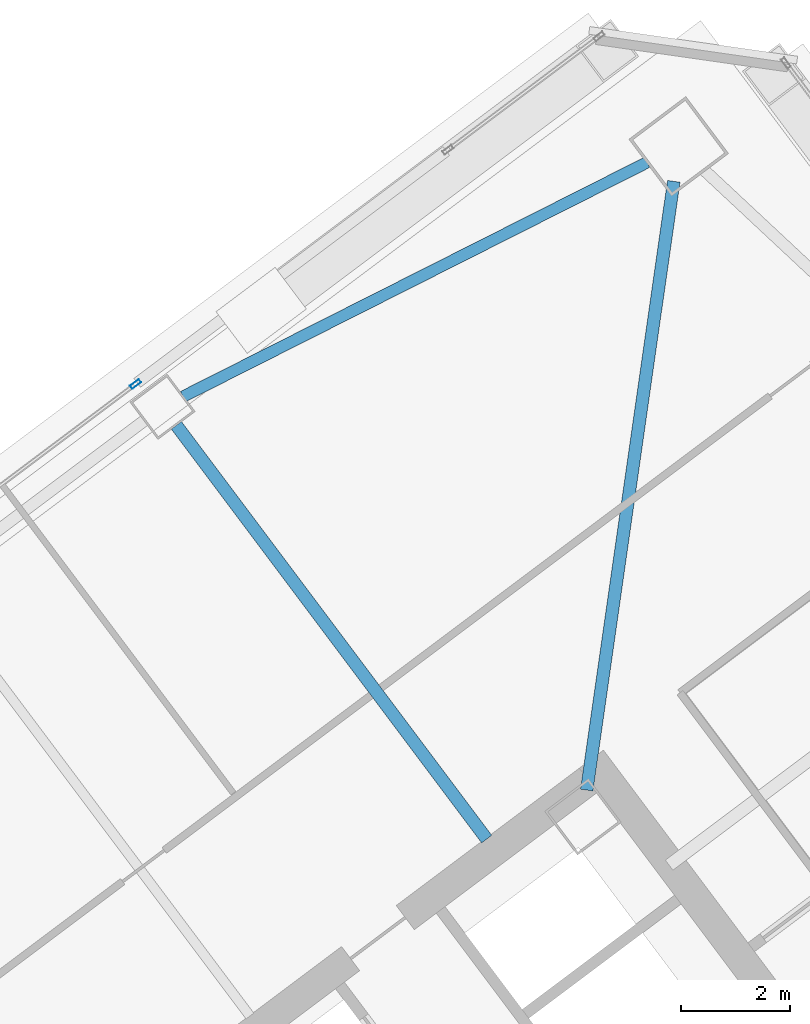
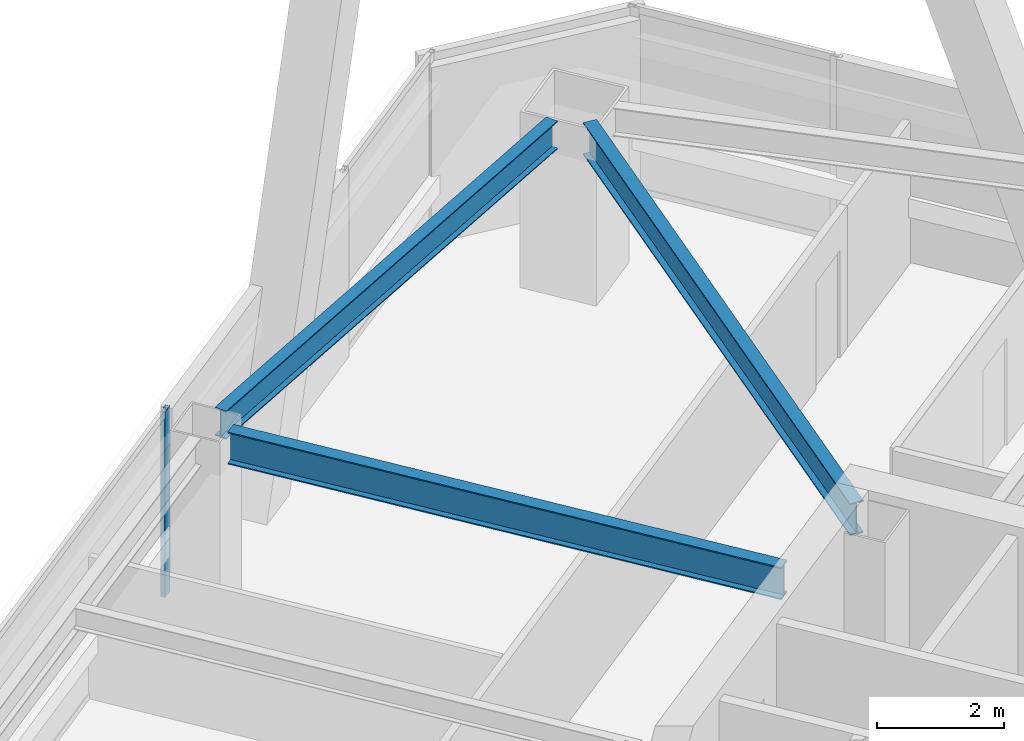
# One storey, part 37 of 54: 3 beams, 1 member, 1 element without a shape of its own.
"""IFC4 building model written with IfcOpenShell, lengths in metres."""

from ifc_helpers import new_model, si_unit, direction, frame, origin, origin_2d, place, context, subcontext, project, spatial, hollow_rectangle, i_section, extrude, material, material_profile, profile_set, type_object, element, aggregate, save


model = new_model("IFC4")

# Units and contexts
model_context = context("Model", 3, precision=1e-05, world=origin(), true_north=direction((0.0, 1.0)))
body_context = subcontext(model_context, "Body", "Model", "MODEL_VIEW")
ifc_project = project(units=[si_unit("LENGTHUNIT", "METRE"), si_unit("AREAUNIT", "SQUARE_METRE"), si_unit("VOLUMEUNIT", "CUBIC_METRE"), si_unit("PLANEANGLEUNIT", "RADIAN"), si_unit("MASSUNIT", "GRAM", prefix="KILO")], contexts=[model_context])

# Site, building, storey
site_placement = place(None, origin())
site = spatial("IfcSite", under=ifc_project, at=site_placement, CompositionType="ELEMENT")
building_placement = place(site_placement, origin())
building = spatial("IfcBuilding", under=site, at=building_placement, Name="Tashvorn Skyway Center", CompositionType="ELEMENT")
storey_placement = place(building_placement, frame((0.0, 0.0, 135.699951171875)))
storey = spatial("IfcBuildingStorey", under=building, at=storey_placement, Name="L36", CompositionType="ELEMENT", Elevation=135.699951171875)

# Beams
ifc_material_1 = material(Name="Steel ASTM A992 Grade 50", Category="steel")
ifc_material_profile_1 = material_profile(ifc_material_1, i_section(OverallWidth=0.22998046875, OverallDepth=0.616943359375, WebThickness=0.01318359375, FlangeThickness=0.022216796875, at=origin_2d()), Name="W24X94")
ifc_profile_set_1 = profile_set([ifc_material_profile_1], Name="Steel ASTM A992 Grade 50")
beam_type_1 = type_object("IfcBeamType", Name="BM-BEAM-W24X94", PredefinedType="BEAM", material=ifc_profile_set_1)
beam_1_placement = place(storey_placement, frame((117.06884765625, 53.4814453125, 3.0615234375), z_axis=(-0.141430483583, -0.989948189712, 0.0), x_axis=(0.989948189712, -0.141430483583, 0.0)))
element("IfcBeam", 1, at=beam_1_placement, inside=storey, type_object=beam_type_1, Name="Tower 2 L36 Primary Floor Girder MC-NE", PredefinedType="BEAM", context=body_context, shape_type="SweptSolid", body=[
    extrude(i_section(OverallWidth=0.22998046875, OverallDepth=0.616943359375, WebThickness=0.01318359375, FlangeThickness=0.022216796875, at=origin_2d()), origin(), (0.0, 0.0, 1.0), 11.234375),
])
beam_2_placement = place(storey_placement, frame((107.98193359375, 49.02392578125, 3.0615234375), z_axis=(0.600020667896, -0.799984498661, 0.0), x_axis=(0.799984498661, 0.600020667896, 0.0)))
element("IfcBeam", 2, at=beam_2_placement, inside=storey, type_object=beam_type_1, Name="Tower 2 L36 Primary Floor Girder FC-N1", PredefinedType="BEAM", context=body_context, shape_type="SweptSolid", body=[
    extrude(i_section(OverallWidth=0.22998046875, OverallDepth=0.616943359375, WebThickness=0.01318359375, FlangeThickness=0.022216796875, at=origin_2d()), origin(), (0.0, 0.0, 1.0), 9.449951171875),
])
ifc_material_profile_2 = material_profile(ifc_material_1, i_section(OverallWidth=0.2109375, OverallDepth=0.5390625, WebThickness=0.01171875, FlangeThickness=0.018798828125, at=origin_2d()), Name="W21X73")
ifc_profile_set_2 = profile_set([ifc_material_profile_2], Name="Steel ASTM A992 Grade 50")
beam_type_2 = type_object("IfcBeamType", Name="BM-SPANDREL-W21X73", PredefinedType="SPANDREL", material=ifc_profile_set_2)
beam_3_placement = place(storey_placement, frame((116.584228515625, 53.829345703125, 3.1005859375), z_axis=(-0.892719124217, -0.450613543136, 0.0), x_axis=(0.450613543136, -0.892719124217, 0.0)))
element("IfcBeam", 3, at=beam_3_placement, inside=storey, type_object=beam_type_2, Name="Tower 2 L36 Spandrel Beam 07", PredefinedType="SPANDREL", context=body_context, shape_type="SweptSolid", body=[
    extrude(i_section(OverallWidth=0.2109375, OverallDepth=0.5390625, WebThickness=0.01171875, FlangeThickness=0.018798828125, at=origin_2d()), origin(), (0.0, 0.0, 1.0), 9.498291015625),
])

# Curtain wall, member
ifc_material_2 = material(Name="Thermally broken bronze-anodized aluminium 6063-T6", Category="aluminium")
curtain_wall_type = type_object("IfcCurtainWallType", Name="CW-CW-Z3", PredefinedType="NOTDEFINED", material=ifc_material_2)
curtain_wall_placement = place(storey_placement, origin())
curtain_wall = element("IfcCurtainWall", 4, at=curtain_wall_placement, inside=storey, type_object=curtain_wall_type, Name="Tower 2 L36 North Unitised Curtain Wall Glazing Group 2", PredefinedType="NOTDEFINED")
ifc_material_profile_3 = material_profile(ifc_material_2, hollow_rectangle(XDim=0.074951171875, YDim=0.199951171875, WallThickness=0.00439453125, at=origin_2d()), Name="ALU-MULL-75x200")
ifc_profile_set_3 = profile_set([ifc_material_profile_3], Name="Thermally broken bronze-anodized aluminium 6063-T6")
member_type = type_object("IfcMemberType", Name="CWM-CW-Z3", PredefinedType="MULLION", material=ifc_profile_set_3)
member_placement = place(storey_placement, frame((107.23681640625, 49.777587890625, 0.0), z_axis=(0.0, 0.0, 1.0), x_axis=(-0.599996977339, 0.800002266987, 0.0)))
member = element("IfcMember", 5, at=member_placement, type_object=member_type, Name="CW-Z3 mullion 2", PredefinedType="MULLION", context=body_context, shape_type="SweptSolid", body=[
    extrude(hollow_rectangle(XDim=0.074951171875, YDim=0.199951171875, WallThickness=0.00439453125, at=origin_2d()), origin(), (0.0, 0.0, 1.0), 3.550048828125),
])
aggregate(curtain_wall, [member])

save(model, "model.ifc")
